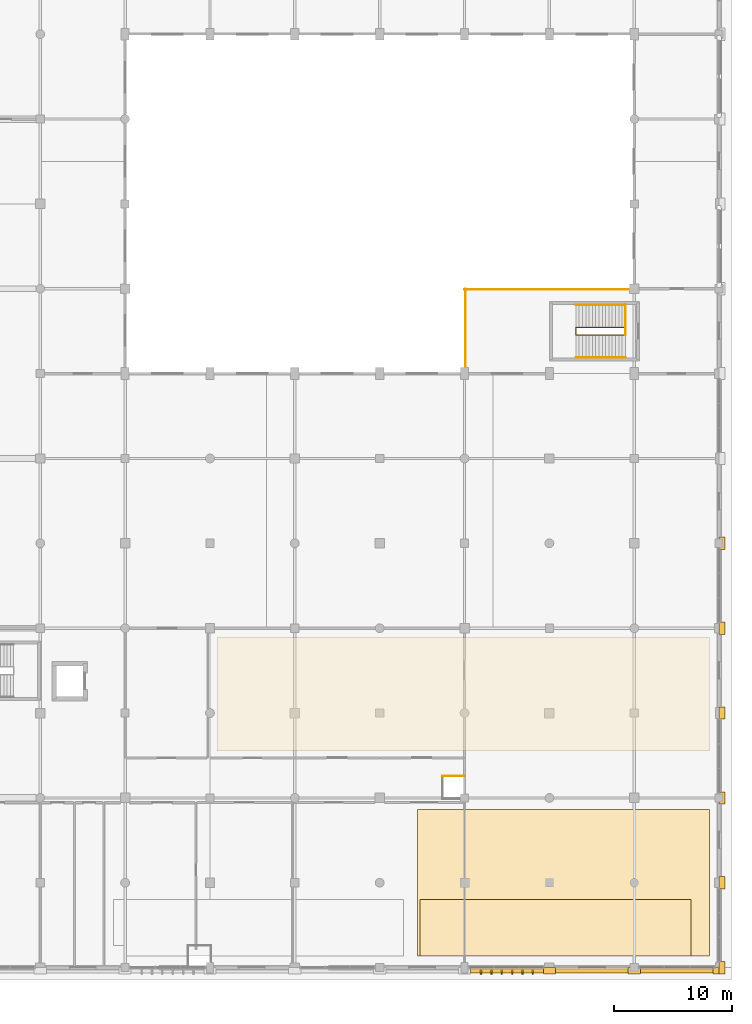
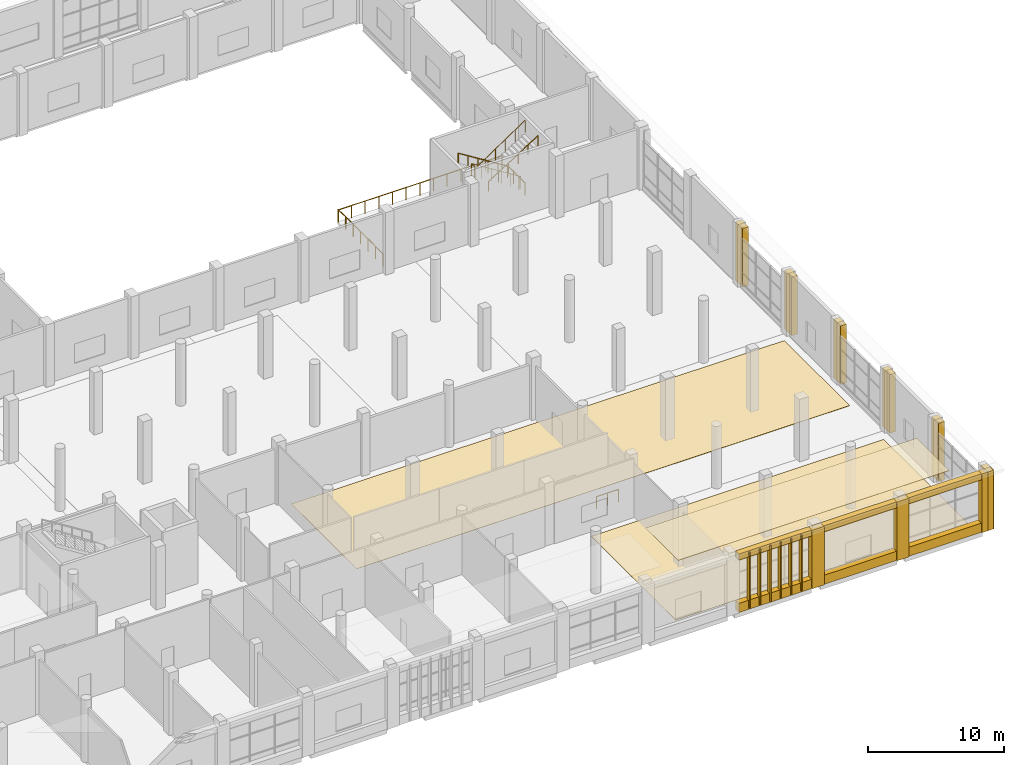
# One storey, part 79 of 80: 24 coverings, 7 railings.
"""IFC4 building model written with IfcOpenShell, lengths in metres."""

import ifcopenshell
import ifcopenshell.guid

model = None  # the IFC model being written
_history = None  # IfcOwnerHistory: only IFC2X3 demands one
_inside = {}  # id of a spatial element -> (the spatial element, [elements in it])
_under = {}  # id of a project, library or spatial element -> (it, [spatial elements below it])
_declared = {}  # id of a project -> (the project, [libraries it declares])
_typed = {}  # id of a type object -> (the type object, [elements of that type])
_made_of = {}  # id of a material, layer set ... -> (it, [elements and type objects made of it])


def new_model(schema):
    """Start an empty IFC model of exactly this schema.

    Asked for "IFC4X3", IfcOpenShell would pick the latest addendum, in which some entities
    have other attributes; the version numbers below select the first issue.
    IFC2X3 requires an IfcOwnerHistory on every rooted entity: one is made here for all.
    """
    global model, _history
    if schema == "IFC4X3":
        model = ifcopenshell.file(schema_version=(4, 3, 0, 0))
    else:
        model = ifcopenshell.file(schema=schema)
    _inside.clear()
    _under.clear()
    _declared.clear()
    _typed.clear()
    _made_of.clear()
    _history = None
    if model.schema == "IFC2X3":
        org = make("IfcOrganization", Name="unknown")
        user = make(
            "IfcPersonAndOrganization",
            ThePerson=make("IfcPerson", FamilyName="unknown"),
            TheOrganization=org,
        )
        app = make(
            "IfcApplication",
            ApplicationDeveloper=org,
            Version="unknown",
            ApplicationFullName="unknown",
            ApplicationIdentifier="unknown",
        )
        _history = make(
            "IfcOwnerHistory",
            OwningUser=user,
            OwningApplication=app,
            ChangeAction="ADDED",
            CreationDate=0,
        )
    return model


def make(cls, **values):
    """One entity of the class cls with the attributes given. An attribute that is None is left unset."""
    return model.create_entity(
        cls, **{name: value for name, value in values.items() if value is not None}
    )


def rooted(cls, **values):
    """An entity with a GlobalId (a new one), such as an element, a storey or a relation."""
    return make(cls, GlobalId=ifcopenshell.guid.new(), OwnerHistory=_history, **values)


def si_unit(unit_type, name, prefix=None):
    """IfcSIUnit, for example si_unit("LENGTHUNIT", "METRE", prefix="MILLI")."""
    return make("IfcSIUnit", UnitType=unit_type, Prefix=prefix, Name=name)


def assignment(units):
    """IfcUnitAssignment: the units of a project."""
    return None if units is None else make("IfcUnitAssignment", Units=units)


def point(xyz):
    """IfcCartesianPoint."""
    return None if xyz is None else make("IfcCartesianPoint", Coordinates=xyz)


def direction(xyz):
    """IfcDirection."""
    return None if xyz is None else make("IfcDirection", DirectionRatios=xyz)


def frame(location, z_axis=None, x_axis=None):
    """IfcAxis2Placement3D, a coordinate frame: its origin and axes. An axis left out is left unset."""
    return make(
        "IfcAxis2Placement3D",
        Location=point(location),
        Axis=direction(z_axis),
        RefDirection=direction(x_axis),
    )


def frame_2d(location, x_axis=None):
    """IfcAxis2Placement2D, a coordinate frame in the plane: its origin and x axis."""
    return make(
        "IfcAxis2Placement2D", Location=point(location), RefDirection=direction(x_axis)
    )


def origin():
    """The frame at (0, 0, 0) with its axes left unset."""
    return frame((0.0, 0.0, 0.0))


def origin_2d():
    """The frame at (0, 0) in the plane with its x axis left unset."""
    return frame_2d((0.0, 0.0))


def place(relative_to, where):
    """IfcLocalPlacement: puts the frame where relative to a parent placement (None: the world)."""
    return make(
        "IfcLocalPlacement", PlacementRelTo=relative_to, RelativePlacement=where
    )


def context(
    kind, dimensions, precision=None, world=None, true_north=None, identifier=None
):
    """IfcGeometricRepresentationContext, for example the 3D "Model" context."""
    return make(
        "IfcGeometricRepresentationContext",
        ContextIdentifier=identifier,
        ContextType=kind,
        CoordinateSpaceDimension=dimensions,
        Precision=precision,
        WorldCoordinateSystem=world,
        TrueNorth=true_north,
    )


def subcontext(parent, identifier, kind, view, scale=None):
    """IfcGeometricRepresentationSubContext, for example "Body" below "Model"."""
    return make(
        "IfcGeometricRepresentationSubContext",
        ContextIdentifier=identifier,
        ContextType=kind,
        ParentContext=parent,
        TargetScale=scale,
        TargetView=view,
    )


def project(units=None, contexts=None):
    """IfcProject with its units and contexts."""
    return rooted(
        "IfcProject",
        Name="project",
        RepresentationContexts=contexts,
        UnitsInContext=assignment(units),
    )


def spatial(cls, under=None, at=None, **own):
    """A site, building, storey or space (cls), placed at a placement, below another one or the project."""
    s = rooted(cls, ObjectPlacement=at, **own)
    if under is not None:
        _under.setdefault(under.id(), (under, []))[1].append(s)
    return s


def polyline(points):
    """IfcPolyline through the points."""
    return make("IfcPolyline", Points=[point(p) for p in points])


def profile(cls, at=None, kind="AREA", **sizes):
    """A parametric profile (cls). Its sizes go by their IFC names, for example OverallWidth=200.0."""
    return make(cls, ProfileType=kind, Position=at, **sizes)


def rectangle(**sizes):
    """IfcRectangleProfileDef."""
    return profile("IfcRectangleProfileDef", **sizes)


def circle(**sizes):
    """IfcCircleProfileDef."""
    return profile("IfcCircleProfileDef", **sizes)


def outline(outer, holes=None, kind="AREA"):
    """IfcArbitraryClosedProfileDef: a profile drawn as a closed curve; with holes, ...WithVoids."""
    if holes is None:
        return make("IfcArbitraryClosedProfileDef", ProfileType=kind, OuterCurve=outer)
    return make(
        "IfcArbitraryProfileDefWithVoids",
        ProfileType=kind,
        OuterCurve=outer,
        InnerCurves=holes,
    )


def extrude(swept, where, along, depth):
    """IfcExtrudedAreaSolid: the profile swept, set in the frame where, extruded along a direction by depth."""
    return make(
        "IfcExtrudedAreaSolid",
        SweptArea=swept,
        Position=where,
        ExtrudedDirection=direction(along),
        Depth=depth,
    )


def shape(context_of_items, identifier, shape_type, items):
    """IfcShapeRepresentation: the items that make up one representation, for example the "Body"."""
    return make(
        "IfcShapeRepresentation",
        ContextOfItems=context_of_items,
        RepresentationIdentifier=identifier,
        RepresentationType=shape_type,
        Items=items,
    )


def material(Name=None, Category=None):
    """IfcMaterial."""
    return make("IfcMaterial", Name=Name, Category=Category)


def layer(
    of_material, thickness, ventilated=None, Name=None, Category=None, Priority=None
):
    """IfcMaterialLayer: one layer of a wall or slab, of a material (None: an air gap)."""
    return make(
        "IfcMaterialLayer",
        Material=of_material,
        LayerThickness=thickness,
        IsVentilated=ventilated,
        Name=Name,
        Category=Category,
        Priority=Priority,
    )


def layer_set(layers, Name=None):
    """IfcMaterialLayerSet."""
    return make("IfcMaterialLayerSet", MaterialLayers=layers, LayerSetName=Name)


def made_of(thing, what):
    """Note that an element or type object is made of a material, layer set ...; save() writes the relation."""
    if what is not None:
        _made_of.setdefault(what.id(), (what, []))[1].append(thing)
    return thing


def type_object(cls, material=None, **own):
    """A type object (cls), such as IfcWallType, which elements share."""
    return made_of(rooted(cls, **own), material)


def element(
    cls,
    number,
    at=None,
    inside=None,
    cuts=None,
    type_object=None,
    material=None,
    context=None,
    identifier="Body",
    shape_type=None,
    held_by="IfcProductDefinitionShape",
    body=None,
    shapes=None,
    **own,
):
    """One element of the class cls, such as IfcWall. Its Tag is "e" and its number.

    at: its placement. inside: the storey or other place that contains it. cuts: it is an
    opening in that element (IfcRelVoidsElement). A single representation is given by context,
    identifier, shape_type and body (its items); several are given by shapes. held_by: the class
    of the entity that holds the representations. save() writes the other relations.
    """
    e = rooted(cls, Tag="e%d" % number, ObjectPlacement=at, **own)
    if body is not None:
        shapes = [shape(context, identifier, shape_type, body)]
    if shapes is not None:
        e.Representation = make(held_by, Representations=shapes)
    if inside is not None:
        _inside.setdefault(inside.id(), (inside, []))[1].append(e)
    if cuts is not None:
        rooted(
            "IfcRelVoidsElement", RelatingBuildingElement=cuts, RelatedOpeningElement=e
        )
    if type_object is not None:
        _typed.setdefault(type_object.id(), (type_object, []))[1].append(e)
    return made_of(e, material)


def aggregate(whole, parts):
    """IfcRelAggregates: a whole, such as a stair, and the parts it consists of."""
    return rooted("IfcRelAggregates", RelatingObject=whole, RelatedObjects=parts)


def save(model, path):
    """Write the relations noted so far, then the file.

    IfcRelAggregates (storeys below a building ...), IfcRelContainedInSpatialStructure (elements
    in a storey), IfcRelDefinesByType, IfcRelAssociatesMaterial and IfcRelDeclares: one each for
    every whole, place, type object, material and project.
    """
    for whole, parts in _under.values():
        aggregate(whole, parts)
    for where, things in _inside.values():
        rooted(
            "IfcRelContainedInSpatialStructure",
            RelatedElements=things,
            RelatingStructure=where,
        )
    for kind, things in _typed.values():
        rooted("IfcRelDefinesByType", RelatedObjects=things, RelatingType=kind)
    for what, things in _made_of.values():
        rooted("IfcRelAssociatesMaterial", RelatedObjects=things, RelatingMaterial=what)
    for by, libraries in _declared.values():
        rooted("IfcRelDeclares", RelatingContext=by, RelatedDefinitions=libraries)
    model.write(path)


model = new_model("IFC4")

# Units and contexts
model_context = context("Model", 3, precision=1e-05, world=origin(), true_north=direction((0.0, 1.0)))
body_context = subcontext(model_context, "Body", "Model", "MODEL_VIEW")
ifc_project = project(units=[si_unit("LENGTHUNIT", "METRE"), si_unit("AREAUNIT", "SQUARE_METRE"), si_unit("VOLUMEUNIT", "CUBIC_METRE"), si_unit("PLANEANGLEUNIT", "RADIAN"), si_unit("MASSUNIT", "GRAM", prefix="KILO")], contexts=[model_context])

# Site, building, storey
site_placement = place(None, origin())
site = spatial("IfcSite", under=ifc_project, at=site_placement, CompositionType="ELEMENT")
building_placement = place(site_placement, origin())
building = spatial("IfcBuilding", under=site, at=building_placement, Name="Sardonyx Promenade Sports Hall", CompositionType="ELEMENT")
storey_placement = place(building_placement, frame((0.0, 0.0, 5.60009765625)))
storey = spatial("IfcBuildingStorey", under=building, at=storey_placement, Name="L01", CompositionType="ELEMENT", Elevation=5.60009765625)

# Coverings
ifc_material_1 = material(Name="Perforated acoustic mineral-fibre baffle ceiling", Category="other")
ifc_layer_1 = layer(ifc_material_1, 0.0400390625)
ifc_layer_set_1 = layer_set([ifc_layer_1], Name="Cov_Ceil_Acoustic")
covering_type_1 = type_object("IfcCoveringType", Name="Cov_Ceil_Acoustic", PredefinedType="CEILING", material=ifc_layer_set_1)
covering_1_placement = place(storey_placement, frame((0.0, 0.0, 5.27001953125)))
element("IfcCovering", 1, at=covering_1_placement, inside=storey, type_object=covering_type_1, Name="Acoustic baffle ceiling CLG1 L01 #12", PredefinedType="CEILING", context=body_context, shape_type="SweptSolid", body=[
    extrude(outline(polyline([(140.199951171875, 5.800048828125), (140.199951171875, 1.0), (163.199951171875, 1.0), (163.199951171875, 5.800048828125), (140.199951171875, 5.800048828125)])), origin(), (0.0, 0.0, 1.0), 0.039794921875),
])
ifc_material_2 = material(Name="Dressed Cape red sandstone ashlar", Category="masonry")
ifc_layer_2 = layer(ifc_material_2, 0.06005859375)
ifc_layer_set_2 = layer_set([ifc_layer_2], Name="Cov_Cladding_Sandstone")
covering_type_2 = type_object("IfcCoveringType", Name="Cov_Cladding_Sandstone", PredefinedType="CLADDING", material=ifc_layer_set_2)
covering_2_placement = place(storey_placement, origin())
element("IfcCovering", 2, at=covering_2_placement, inside=storey, type_object=covering_type_2, Name="South sandstone bay pier casing L01 #21", PredefinedType="CLADDING", context=body_context, shape_type="SweptSolid", body=[
    extrude(outline(polyline([(150.679931640625, -0.52001953125), (151.719970703125, -0.52001953125), (151.719970703125, 0.02001953125), (150.679931640625, 0.02001953125), (150.679931640625, -0.52001953125)])), origin(), (0.0, 0.0, 1.0), 5.25),
])
covering_3_placement = place(storey_placement, origin())
element("IfcCovering", 3, at=covering_3_placement, inside=storey, type_object=covering_type_2, Name="South sandstone bay pier casing L01 #22", PredefinedType="CLADDING", context=body_context, shape_type="SweptSolid", body=[
    extrude(outline(polyline([(157.8798828125, -0.52001953125), (158.919921875, -0.52001953125), (158.919921875, 0.02001953125), (157.8798828125, 0.02001953125), (157.8798828125, -0.52001953125)])), origin(), (0.0, 0.0, 1.0), 5.25),
])
covering_4_placement = place(storey_placement, origin())
element("IfcCovering", 4, at=covering_4_placement, inside=storey, type_object=covering_type_2, Name="South sandstone bay pier casing L01 #23", PredefinedType="CLADDING", context=body_context, shape_type="SweptSolid", body=[
    extrude(outline(polyline([(165.080078125, -0.52001953125), (166.1201171875, -0.52001953125), (166.1201171875, 0.02001953125), (165.080078125, 0.02001953125), (165.080078125, -0.52001953125)])), origin(), (0.0, 0.0, 1.0), 5.25),
])
covering_5_placement = place(storey_placement, origin())
element("IfcCovering", 5, at=covering_5_placement, inside=storey, type_object=covering_type_2, Name="South sandstone sill spandrel L01 #0", PredefinedType="CLADDING", context=body_context, shape_type="SweptSolid", body=[
    extrude(outline(polyline([(158.919921875, -0.4599609375), (165.080078125, -0.4599609375), (165.080078125, 0.02001953125), (158.919921875, 0.02001953125), (158.919921875, -0.4599609375)])), origin(), (0.0, 0.0, 1.0), 0.81982421875),
])
covering_6_placement = place(storey_placement, frame((0.0, 0.0, 4.699951171875)))
element("IfcCovering", 6, at=covering_6_placement, inside=storey, type_object=covering_type_2, Name="South sandstone lintel frieze L01 #0", PredefinedType="CLADDING", context=body_context, shape_type="SweptSolid", body=[
    extrude(outline(polyline([(158.919921875, -0.4599609375), (165.080078125, -0.4599609375), (165.080078125, 0.02001953125), (158.919921875, 0.02001953125), (158.919921875, -0.4599609375)])), origin(), (0.0, 0.0, 1.0), 0.550048828125),
])
covering_7_placement = place(storey_placement, origin())
element("IfcCovering", 7, at=covering_7_placement, inside=storey, type_object=covering_type_2, Name="South sandstone sill spandrel L01 #1", PredefinedType="CLADDING", context=body_context, shape_type="SweptSolid", body=[
    extrude(outline(polyline([(151.719970703125, -0.4599609375), (157.8798828125, -0.4599609375), (157.8798828125, 0.02001953125), (151.719970703125, 0.02001953125), (151.719970703125, -0.4599609375)])), origin(), (0.0, 0.0, 1.0), 0.81982421875),
])
covering_8_placement = place(storey_placement, frame((0.0, 0.0, 4.699951171875)))
element("IfcCovering", 8, at=covering_8_placement, inside=storey, type_object=covering_type_2, Name="South sandstone lintel frieze L01 #1", PredefinedType="CLADDING", context=body_context, shape_type="SweptSolid", body=[
    extrude(outline(polyline([(151.719970703125, -0.4599609375), (157.8798828125, -0.4599609375), (157.8798828125, 0.02001953125), (151.719970703125, 0.02001953125), (151.719970703125, -0.4599609375)])), origin(), (0.0, 0.0, 1.0), 0.550048828125),
])
covering_9_placement = place(storey_placement, origin())
element("IfcCovering", 9, at=covering_9_placement, inside=storey, type_object=covering_type_2, Name="South sandstone sill spandrel L01 #2", PredefinedType="CLADDING", context=body_context, shape_type="SweptSolid", body=[
    extrude(outline(polyline([(144.52001953125, -0.4599609375), (150.679931640625, -0.4599609375), (150.679931640625, 0.02001953125), (144.52001953125, 0.02001953125), (144.52001953125, -0.4599609375)])), origin(), (0.0, 0.0, 1.0), 0.81982421875),
])
covering_10_placement = place(storey_placement, frame((0.0, 0.0, 4.699951171875)))
element("IfcCovering", 10, at=covering_10_placement, inside=storey, type_object=covering_type_2, Name="South sandstone lintel frieze L01 #2", PredefinedType="CLADDING", context=body_context, shape_type="SweptSolid", body=[
    extrude(outline(polyline([(144.52001953125, -0.4599609375), (150.679931640625, -0.4599609375), (150.679931640625, 0.02001953125), (144.52001953125, 0.02001953125), (144.52001953125, -0.4599609375)])), origin(), (0.0, 0.0, 1.0), 0.550048828125),
])
covering_11_placement = place(storey_placement, origin())
element("IfcCovering", 11, at=covering_11_placement, inside=storey, type_object=covering_type_2, Name="East sandstone pier casing L01 #0", PredefinedType="CLADDING", context=body_context, shape_type="SweptSolid", body=[
    extrude(outline(polyline([(165.580078125, -0.52001953125), (166.080078125, -0.52001953125), (166.080078125, 0.52001953125), (165.580078125, 0.52001953125), (165.580078125, -0.52001953125)])), origin(), (0.0, 0.0, 1.0), 5.25),
])
covering_12_placement = place(storey_placement, origin())
element("IfcCovering", 12, at=covering_12_placement, inside=storey, type_object=covering_type_2, Name="East sandstone pier casing L01 #1", PredefinedType="CLADDING", context=body_context, shape_type="SweptSolid", body=[
    extrude(outline(polyline([(165.580078125, 6.679931640625), (166.080078125, 6.679931640625), (166.080078125, 7.719970703125), (165.580078125, 7.719970703125), (165.580078125, 6.679931640625)])), origin(), (0.0, 0.0, 1.0), 5.25),
])
covering_13_placement = place(storey_placement, origin())
element("IfcCovering", 13, at=covering_13_placement, inside=storey, type_object=covering_type_2, Name="East sandstone pier casing L01 #2", PredefinedType="CLADDING", context=body_context, shape_type="SweptSolid", body=[
    extrude(outline(polyline([(165.580078125, 13.8798828125), (166.080078125, 13.8798828125), (166.080078125, 14.919921875), (165.580078125, 14.919921875), (165.580078125, 13.8798828125)])), origin(), (0.0, 0.0, 1.0), 5.25),
])
covering_14_placement = place(storey_placement, origin())
element("IfcCovering", 14, at=covering_14_placement, inside=storey, type_object=covering_type_2, Name="East sandstone pier casing L01 #3", PredefinedType="CLADDING", context=body_context, shape_type="SweptSolid", body=[
    extrude(outline(polyline([(165.580078125, 21.080078125), (166.080078125, 21.080078125), (166.080078125, 22.1201171875), (165.580078125, 22.1201171875), (165.580078125, 21.080078125)])), origin(), (0.0, 0.0, 1.0), 5.25),
])
covering_15_placement = place(storey_placement, origin())
element("IfcCovering", 15, at=covering_15_placement, inside=storey, type_object=covering_type_2, Name="East sandstone pier casing L01 #4", PredefinedType="CLADDING", context=body_context, shape_type="SweptSolid", body=[
    extrude(outline(polyline([(165.580078125, 28.280029296875), (166.080078125, 28.280029296875), (166.080078125, 29.320068359375), (165.580078125, 29.320068359375), (165.580078125, 28.280029296875)])), origin(), (0.0, 0.0, 1.0), 5.25),
])
covering_16_placement = place(storey_placement, origin())
element("IfcCovering", 16, at=covering_16_placement, inside=storey, type_object=covering_type_2, Name="East sandstone pier casing L01 #5", PredefinedType="CLADDING", context=body_context, shape_type="SweptSolid", body=[
    extrude(outline(polyline([(165.580078125, 35.47998046875), (166.080078125, 35.47998046875), (166.080078125, 36.52001953125), (165.580078125, 36.52001953125), (165.580078125, 35.47998046875)])), origin(), (0.0, 0.0, 1.0), 5.25),
])
ifc_material_3 = material(Name="EPDM polymeric athletic surfacing", Category="other")
ifc_layer_3 = layer(ifc_material_3, 0.02490234375)
ifc_layer_set_3 = layer_set([ifc_layer_3], Name="Cov_Floor_Athletic")
covering_type_3 = type_object("IfcCoveringType", Name="Cov_Floor_Athletic", PredefinedType="FLOORING", material=ifc_layer_set_3)
covering_17_placement = place(storey_placement, origin())
element("IfcCovering", 17, at=covering_17_placement, inside=storey, type_object=covering_type_3, Name="Athletic flooring FLR2 L01 #16", PredefinedType="FLOORING", context=body_context, shape_type="SweptSolid", body=[
    extrude(outline(polyline([(140.0, 1.0), (164.800048828125, 1.0), (164.800048828125, 13.39990234375), (140.0, 13.39990234375), (140.0, 1.0)])), origin(), (0.0, 0.0, 1.0), 0.02490234375),
])
covering_18_placement = place(storey_placement, origin())
element("IfcCovering", 18, at=covering_18_placement, inside=storey, type_object=covering_type_3, Name="Athletic flooring FLR2 L01 #17", PredefinedType="FLOORING", context=body_context, shape_type="SweptSolid", body=[
    extrude(outline(polyline([(123.0, 18.39990234375), (164.800048828125, 18.39990234375), (164.800048828125, 28.0), (123.0, 28.0), (123.0, 18.39990234375)])), origin(), (0.0, 0.0, 1.0), 0.02490234375),
])
ifc_material_4 = material(Name="Glulam GL28h", Category="wood")
ifc_layer_4 = layer(ifc_material_4, 0.110107421875)
ifc_layer_set_4 = layer_set([ifc_layer_4], Name="Cov_Louvre_GL28h")
covering_type_4 = type_object("IfcCoveringType", Name="Cov_Louvre_GL28h", PredefinedType="MOLDING", material=ifc_layer_set_4)
for number, where, z_axis, x_axis, name in (
    (19, (145.39990234375, -0.3798828125, 0.10009765625), (0.0, 0.0, 1.0), (1.0, 0.0, 0.0), "Mughal jali screen mullion L01 #2-1"),
    (20, (146.280029296875, -0.3798828125, 0.10009765625), (0.0, 0.0, 1.0), (1.0, 0.0, 0.0), "Mughal jali screen mullion L01 #2-2"),
    (21, (147.159912109375, -0.3798828125, 0.10009765625), (0.0, 0.0, 1.0), (1.0, 0.0, 0.0), "Mughal jali screen mullion L01 #2-3"),
    (22, (148.0400390625, -0.3798828125, 0.10009765625), (0.0, 0.0, 1.0), (1.0, 0.0, 0.0), "Mughal jali screen mullion L01 #2-4"),
    (23, (148.919921875, -0.3798828125, 0.10009765625), (0.0, 0.0, 1.0), (1.0, 0.0, 0.0), "Mughal jali screen mullion L01 #2-5"),
    (24, (149.800048828125, -0.3798828125, 0.10009765625), (0.0, 0.0, 1.0), (1.0, 0.0, 0.0), "Mughal jali screen mullion L01 #2-6"),
):
    element("IfcCovering", number, at=place(storey_placement, frame(where, z_axis=z_axis, x_axis=x_axis)), inside=storey, type_object=covering_type_4, Name=name, PredefinedType="MOLDING", context=body_context, shape_type="SweptSolid", body=[
        extrude(rectangle(XDim=0.10009765625, YDim=0.360107421875, at=origin_2d()), origin(), (0.0, 0.0, 1.0), 5.050048828125),
    ])

# Railings
ifc_material_5 = material(Name="Powder-coated Steel S355JR", Category="steel")
railing_type_1 = type_object("IfcRailingType", Name="Rail_Int_Guard_1100", PredefinedType="GUARDRAIL", material=ifc_material_5)
railing_1_placement = place(storey_placement, frame((157.639892578125, 56.2548828125, 0.0)))
element("IfcRailing", 25, at=railing_1_placement, inside=storey, type_object=railing_type_1, Name="Stair floor-edge guard ST8 L01", PredefinedType="GUARDRAIL", context=body_context, shape_type="SweptSolid", body=[
    extrude(circle(Radius=0.02392578125, at=origin_2d()), frame((0.0, 0.0, 1.09619140625), z_axis=(0.0, -1.0, 0.0), x_axis=(1.0, 0.0, 0.0)), (0.0, 0.0, 1.0), 2.56982421875),
    extrude(circle(Radius=0.02392578125, at=origin_2d()), frame((0.0, -2.56982421875, 1.09619140625), z_axis=(1.0, 0.0, 0.0), x_axis=(0.0, 1.0, 0.0)), (0.0, 0.0, 1.0), 0.010009765625),
    extrude(circle(Radius=0.02099609375, at=origin_2d()), origin(), (0.0, 0.0, 1.0), 1.072021484375),
    extrude(circle(Radius=0.02099609375, at=origin_2d()), frame((0.0, -0.856689453125, 0.0)), (0.0, 0.0, 1.0), 1.072021484375),
    extrude(circle(Radius=0.02099609375, at=origin_2d()), frame((0.0, -1.713134765625, 0.0)), (0.0, 0.0, 1.0), 1.072021484375),
    extrude(circle(Radius=0.02099609375, at=origin_2d()), frame((0.0, -2.56982421875, 0.0)), (0.0, 0.0, 1.0), 1.072021484375),
    extrude(circle(Radius=0.02099609375, at=origin_2d()), frame((0.010009765625, -2.56982421875, 0.0)), (0.0, 0.0, 1.0), 1.072021484375),
])
railing_2_placement = place(storey_placement, frame((157.64990234375, 54.31494140625, 0.1748046875)))
element("IfcRailing", 26, at=railing_2_placement, inside=storey, type_object=railing_type_1, Name="Stair inner well guard ST8 L01", PredefinedType="GUARDRAIL", context=body_context, shape_type="SweptSolid", body=[
    extrude(circle(Radius=0.02392578125, at=origin_2d()), frame((0.0, 0.0, 1.09619140625), z_axis=(-0.846854242419, 0.0, 0.531825057794), x_axis=(0.0, -1.0, 0.0)), (0.0, 0.0, 1.0), 4.935791015625),
    extrude(circle(Radius=0.02392578125, at=origin_2d()), frame((-4.179931640625, 0.0, 3.72119140625), z_axis=(0.0, -1.0, 0.0), x_axis=(1.0, 0.0, 0.0)), (0.0, 0.0, 1.0), 0.6298828125),
    extrude(circle(Radius=0.02392578125, at=origin_2d()), frame((-4.179931640625, -0.6298828125, 3.72119140625), z_axis=(0.830816424754, 0.0, 0.556546555429), x_axis=(0.0, 1.0, 0.0)), (0.0, 0.0, 1.0), 5.031005859375),
    extrude(circle(Radius=0.02099609375, at=origin_2d()), origin(), (0.0, 0.0, 1.0), 1.072021484375),
    extrude(circle(Radius=0.02099609375, at=origin_2d()), frame((-0.8359375, 0.0, 0.52490234375)), (0.0, 0.0, 1.0), 1.072021484375),
    extrude(circle(Radius=0.02099609375, at=origin_2d()), frame((-1.671875, 0.0, 1.050048828125)), (0.0, 0.0, 1.0), 1.072021484375),
    extrude(circle(Radius=0.02099609375, at=origin_2d()), frame((-2.508056640625, 0.0, 1.574951171875)), (0.0, 0.0, 1.0), 1.072021484375),
    extrude(circle(Radius=0.02099609375, at=origin_2d()), frame((-3.343994140625, 0.0, 2.10009765625)), (0.0, 0.0, 1.0), 1.072021484375),
    extrude(circle(Radius=0.02099609375, at=origin_2d()), frame((-4.179931640625, 0.0, 2.625)), (0.0, 0.0, 1.0), 1.072021484375),
    extrude(circle(Radius=0.02099609375, at=origin_2d()), frame((-4.179931640625, -0.6298828125, 2.625)), (0.0, 0.0, 1.0), 1.072021484375),
    extrude(circle(Radius=0.02099609375, at=origin_2d()), frame((-3.343994140625, -0.6298828125, 3.18505859375)), (0.0, 0.0, 1.0), 1.072021484375),
    extrude(circle(Radius=0.02099609375, at=origin_2d()), frame((-2.508056640625, -0.6298828125, 3.7451171875)), (0.0, 0.0, 1.0), 1.072021484375),
    extrude(circle(Radius=0.02099609375, at=origin_2d()), frame((-1.671875, -0.6298828125, 4.304931640625)), (0.0, 0.0, 1.0), 1.072021484375),
    extrude(circle(Radius=0.02099609375, at=origin_2d()), frame((-0.8359375, -0.6298828125, 4.864990234375)), (0.0, 0.0, 1.0), 1.072021484375),
    extrude(circle(Radius=0.02099609375, at=origin_2d()), frame((0.0, -0.6298828125, 5.425048828125)), (0.0, 0.0, 1.0), 1.072021484375),
])
railing_3_placement = place(storey_placement, frame((157.89990234375, 57.530029296875, 0.0)))
element("IfcRailing", 27, at=railing_3_placement, inside=storey, type_object=railing_type_1, Name="Deck-edge guardrail GR02 L01 #24", PredefinedType="GUARDRAIL", context=body_context, shape_type="SweptSolid", body=[
    extrude(circle(Radius=0.02392578125, at=origin_2d()), frame((0.0, 0.0, 1.09619140625), z_axis=(-1.0, 0.0, 0.0), x_axis=(0.0, -1.0, 0.0)), (0.0, 0.0, 1.0), 13.89990234375),
    extrude(circle(Radius=0.02099609375, at=origin_2d()), origin(), (0.0, 0.0, 1.0), 1.072021484375),
    extrude(circle(Radius=0.02099609375, at=origin_2d()), frame((-1.158203125, 0.0, 0.0)), (0.0, 0.0, 1.0), 1.072021484375),
    extrude(circle(Radius=0.02099609375, at=origin_2d()), frame((-2.316650390625, 0.0, 0.0)), (0.0, 0.0, 1.0), 1.072021484375),
    extrude(circle(Radius=0.02099609375, at=origin_2d()), frame((-3.47509765625, 0.0, 0.0)), (0.0, 0.0, 1.0), 1.072021484375),
    extrude(circle(Radius=0.02099609375, at=origin_2d()), frame((-4.63330078125, 0.0, 0.0)), (0.0, 0.0, 1.0), 1.072021484375),
    extrude(circle(Radius=0.02099609375, at=origin_2d()), frame((-5.79150390625, 0.0, 0.0)), (0.0, 0.0, 1.0), 1.072021484375),
    extrude(circle(Radius=0.02099609375, at=origin_2d()), frame((-6.949951171875, 0.0, 0.0)), (0.0, 0.0, 1.0), 1.072021484375),
    extrude(circle(Radius=0.02099609375, at=origin_2d()), frame((-8.1083984375, 0.0, 0.0)), (0.0, 0.0, 1.0), 1.072021484375),
    extrude(circle(Radius=0.02099609375, at=origin_2d()), frame((-9.2666015625, 0.0, 0.0)), (0.0, 0.0, 1.0), 1.072021484375),
    extrude(circle(Radius=0.02099609375, at=origin_2d()), frame((-10.4248046875, 0.0, 0.0)), (0.0, 0.0, 1.0), 1.072021484375),
    extrude(circle(Radius=0.02099609375, at=origin_2d()), frame((-11.583251953125, 0.0, 0.0)), (0.0, 0.0, 1.0), 1.072021484375),
    extrude(circle(Radius=0.02099609375, at=origin_2d()), frame((-12.74169921875, 0.0, 0.0)), (0.0, 0.0, 1.0), 1.072021484375),
    extrude(circle(Radius=0.02099609375, at=origin_2d()), frame((-13.89990234375, 0.0, 0.0)), (0.0, 0.0, 1.0), 1.072021484375),
])
railing_4_placement = place(storey_placement, frame((144.070068359375, 57.60009765625, 0.0)))
element("IfcRailing", 28, at=railing_4_placement, inside=storey, type_object=railing_type_1, Name="Deck-edge guardrail GR02 L01 #25", PredefinedType="GUARDRAIL", context=body_context, shape_type="SweptSolid", body=[
    extrude(circle(Radius=0.02392578125, at=origin_2d()), frame((0.0, 0.0, 1.09619140625), z_axis=(0.0, -1.0, 0.0), x_axis=(1.0, 0.0, 0.0)), (0.0, 0.0, 1.0), 6.60009765625),
    extrude(circle(Radius=0.02099609375, at=origin_2d()), origin(), (0.0, 0.0, 1.0), 1.072021484375),
    extrude(circle(Radius=0.02099609375, at=origin_2d()), frame((0.0, -1.10009765625, 0.0)), (0.0, 0.0, 1.0), 1.072021484375),
    extrude(circle(Radius=0.02099609375, at=origin_2d()), frame((0.0, -2.199951171875, 0.0)), (0.0, 0.0, 1.0), 1.072021484375),
    extrude(circle(Radius=0.02099609375, at=origin_2d()), frame((0.0, -3.300048828125, 0.0)), (0.0, 0.0, 1.0), 1.072021484375),
    extrude(circle(Radius=0.02099609375, at=origin_2d()), frame((0.0, -4.400146484375, 0.0)), (0.0, 0.0, 1.0), 1.072021484375),
    extrude(circle(Radius=0.02099609375, at=origin_2d()), frame((0.0, -5.5, 0.0)), (0.0, 0.0, 1.0), 1.072021484375),
    extrude(circle(Radius=0.02099609375, at=origin_2d()), frame((0.0, -6.60009765625, 0.0)), (0.0, 0.0, 1.0), 1.072021484375),
])
railing_5_placement = place(storey_placement, frame((142.1201171875, 16.27001953125, 0.0)))
element("IfcRailing", 29, at=railing_5_placement, inside=storey, type_object=railing_type_1, Name="Deck-edge guardrail GR02 L01 #28", PredefinedType="GUARDRAIL", context=body_context, shape_type="SweptSolid", body=[
    extrude(circle(Radius=0.02392578125, at=origin_2d()), frame((0.0, 0.0, 1.09619140625), z_axis=(1.0, 0.0, 0.0), x_axis=(0.0, 1.0, 0.0)), (0.0, 0.0, 1.0), 1.844970703125),
    extrude(circle(Radius=0.02099609375, at=origin_2d()), origin(), (0.0, 0.0, 1.0), 1.072021484375),
    extrude(circle(Radius=0.02099609375, at=origin_2d()), frame((0.92236328125, 0.0, 0.0)), (0.0, 0.0, 1.0), 1.072021484375),
    extrude(circle(Radius=0.02099609375, at=origin_2d()), frame((1.844970703125, 0.0, 0.0)), (0.0, 0.0, 1.0), 1.072021484375),
])
ifc_material_6 = material(Name="Brushed stainless steel Grade 304", Category="steel")
railing_type_2 = type_object("IfcRailingType", Name="Rail_Int_Handrail_900", PredefinedType="HANDRAIL", material=ifc_material_6)
railing_6_placement = place(storey_placement, frame((157.64990234375, 56.22509765625, 0.1748046875)))
element("IfcRailing", 30, at=railing_6_placement, inside=storey, type_object=railing_type_2, Name="Stair handrail ST8 L01 F1", PredefinedType="HANDRAIL", context=body_context, shape_type="SweptSolid", body=[
    extrude(circle(Radius=0.02392578125, at=origin_2d()), frame((0.0, 0.0, 0.8759765625), z_axis=(-0.847995534698, 0.0, 0.530003370869), x_axis=(0.0, -1.0, 0.0)), (0.0, 0.0, 1.0), 4.952880859375),
    extrude(circle(Radius=0.02099609375, at=origin_2d()), origin(), (0.0, 0.0, 1.0), 0.851806640625),
    extrude(circle(Radius=0.02099609375, at=origin_2d()), frame((-0.840087890625, 0.0, 0.52490234375)), (0.0, 0.0, 1.0), 0.851806640625),
    extrude(circle(Radius=0.02099609375, at=origin_2d()), frame((-1.679931640625, 0.0, 1.050048828125)), (0.0, 0.0, 1.0), 0.851806640625),
    extrude(circle(Radius=0.02099609375, at=origin_2d()), frame((-2.52001953125, 0.0, 1.574951171875)), (0.0, 0.0, 1.0), 0.851806640625),
    extrude(circle(Radius=0.02099609375, at=origin_2d()), frame((-3.35986328125, 0.0, 2.10009765625)), (0.0, 0.0, 1.0), 0.851806640625),
    extrude(circle(Radius=0.02099609375, at=origin_2d()), frame((-4.199951171875, 0.0, 2.625)), (0.0, 0.0, 1.0), 0.851806640625),
])
railing_7_placement = place(storey_placement, frame((153.449951171875, 51.77490234375, 2.974853515625)))
element("IfcRailing", 31, at=railing_7_placement, inside=storey, type_object=railing_type_2, Name="Stair handrail ST8 L01 F2", PredefinedType="HANDRAIL", context=body_context, shape_type="SweptSolid", body=[
    extrude(circle(Radius=0.02392578125, at=origin_2d()), frame((0.0, 0.0, 0.8759765625), z_axis=(0.847995534698, 0.0, 0.530003370869), x_axis=(0.0, 1.0, 0.0)), (0.0, 0.0, 1.0), 4.952880859375),
    extrude(circle(Radius=0.02099609375, at=origin_2d()), origin(), (0.0, 0.0, 1.0), 0.851806640625),
    extrude(circle(Radius=0.02099609375, at=origin_2d()), frame((0.840087890625, 0.0, 0.52490234375)), (0.0, 0.0, 1.0), 0.851806640625),
    extrude(circle(Radius=0.02099609375, at=origin_2d()), frame((1.679931640625, 0.0, 1.050048828125)), (0.0, 0.0, 1.0), 0.851806640625),
    extrude(circle(Radius=0.02099609375, at=origin_2d()), frame((2.52001953125, 0.0, 1.574951171875)), (0.0, 0.0, 1.0), 0.851806640625),
    extrude(circle(Radius=0.02099609375, at=origin_2d()), frame((3.35986328125, 0.0, 2.10009765625)), (0.0, 0.0, 1.0), 0.851806640625),
    extrude(circle(Radius=0.02099609375, at=origin_2d()), frame((4.199951171875, 0.0, 2.625)), (0.0, 0.0, 1.0), 0.851806640625),
])

save(model, "model.ifc")
